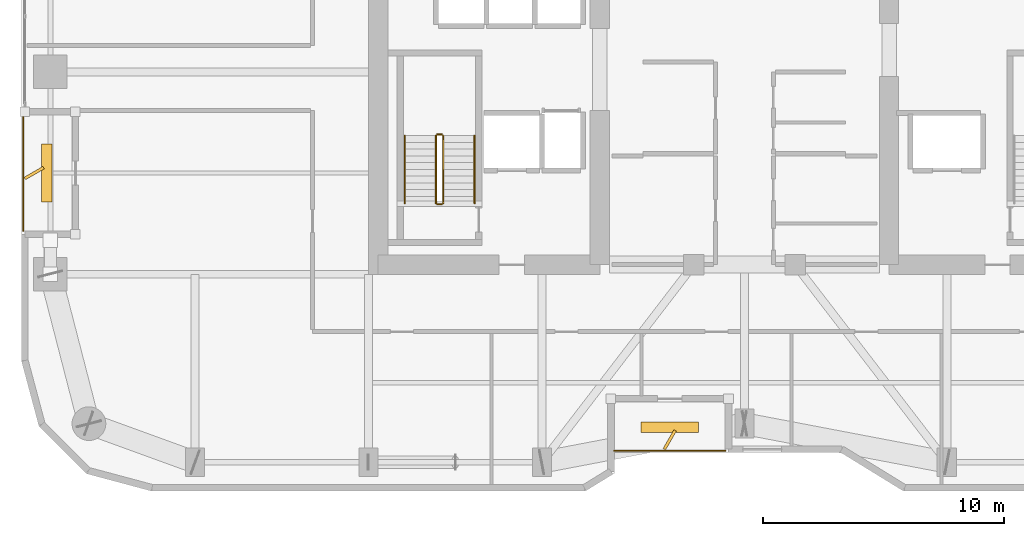
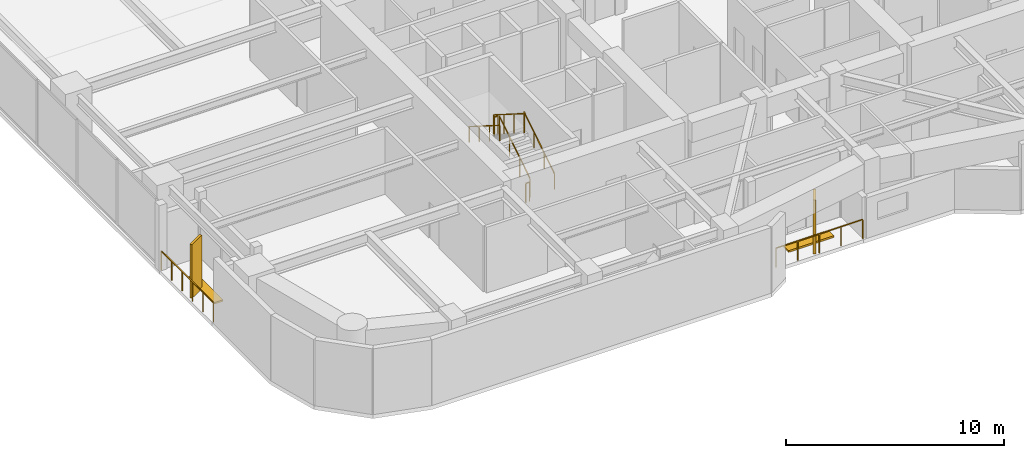
# One storey, part 28 of 30: 8 railings, 4 shading devices.
"""IFC4 building model written with IfcOpenShell, lengths in metres."""

from ifc_helpers import new_model, si_unit, direction, frame, origin, origin_2d, place, context, subcontext, project, spatial, rectangle, extrude, material, type_object, element, save


model = new_model("IFC4")

# Units and contexts
model_context = context("Model", 3, precision=1e-05, world=origin(), true_north=direction((0.0, 1.0)))
body_context = subcontext(model_context, "Body", "Model", "MODEL_VIEW")
ifc_project = project(units=[si_unit("LENGTHUNIT", "METRE"), si_unit("AREAUNIT", "SQUARE_METRE"), si_unit("VOLUMEUNIT", "CUBIC_METRE"), si_unit("PLANEANGLEUNIT", "RADIAN"), si_unit("MASSUNIT", "GRAM", prefix="KILO")], contexts=[model_context])

# Site, building, storey
site_placement = place(None, origin())
site = spatial("IfcSite", under=ifc_project, at=site_placement, CompositionType="ELEMENT")
building_placement = place(site_placement, origin())
building = spatial("IfcBuilding", under=site, at=building_placement, Name="Kiyonajd Concourse Tower", CompositionType="ELEMENT")
storey_placement = place(building_placement, frame((0.0, 0.0, 154.5)))
storey = spatial("IfcBuildingStorey", under=building, at=storey_placement, Name="L39", CompositionType="ELEMENT", Elevation=154.5)

# Railings
ifc_material_1 = material(Name="Thermally Broken Anodised Aluminium", Category="aluminium")
railing_type_1 = type_object("IfcRailingType", Name="RL-GRD-LOG", PredefinedType="GUARDRAIL", material=ifc_material_1)
railing_1_placement = place(storey_placement, frame((42.60009765625, 20.280029296875, 0.0)))
element("IfcRailing", 1, at=railing_1_placement, inside=storey, type_object=railing_type_1, Name="L39 Engawa Loggia Perimeter Guard LOG-S", PredefinedType="GUARDRAIL", context=body_context, shape_type="SweptSolid", body=[
    extrude(rectangle(XDim=0.048095703125, YDim=0.048095703125, at=origin_2d()), frame((0.0, 0.0, 1.076171875), z_axis=(1.0, 0.0, 0.0), x_axis=(0.0, 1.0, 0.0)), (0.0, 0.0, 1.0), 4.599853515625),
    extrude(rectangle(XDim=0.0419921875, YDim=0.0419921875, at=origin_2d()), origin(), (0.0, 0.0, 1.0), 1.052001953125),
    extrude(rectangle(XDim=0.0419921875, YDim=0.0419921875, at=origin_2d()), frame((1.14990234375, 0.0, 0.0)), (0.0, 0.0, 1.0), 1.052001953125),
    extrude(rectangle(XDim=0.0419921875, YDim=0.0419921875, at=origin_2d()), frame((2.2998046875, 0.0, 0.0)), (0.0, 0.0, 1.0), 1.052001953125),
    extrude(rectangle(XDim=0.0419921875, YDim=0.0419921875, at=origin_2d()), frame((3.449951171875, 0.0, 0.0)), (0.0, 0.0, 1.0), 1.052001953125),
    extrude(rectangle(XDim=0.0419921875, YDim=0.0419921875, at=origin_2d()), frame((4.599853515625, 0.0, 0.0)), (0.0, 0.0, 1.0), 1.052001953125),
])
railing_2_placement = place(storey_placement, frame((18.080078125, 34.199951171875, 0.0)))
element("IfcRailing", 2, at=railing_2_placement, inside=storey, type_object=railing_type_1, Name="L39 Engawa Loggia Perimeter Guard LOG-W", PredefinedType="GUARDRAIL", context=body_context, shape_type="SweptSolid", body=[
    extrude(rectangle(XDim=0.048095703125, YDim=0.048095703125, at=origin_2d()), frame((0.0, 0.0, 1.076171875), z_axis=(0.0, -1.0, 0.0), x_axis=(1.0, 0.0, 0.0)), (0.0, 0.0, 1.0), 4.800048828125),
    extrude(rectangle(XDim=0.0419921875, YDim=0.0419921875, at=origin_2d()), origin(), (0.0, 0.0, 1.0), 1.052001953125),
    extrude(rectangle(XDim=0.0419921875, YDim=0.0419921875, at=origin_2d()), frame((0.0, -0.9599609375, 0.0)), (0.0, 0.0, 1.0), 1.052001953125),
    extrude(rectangle(XDim=0.0419921875, YDim=0.0419921875, at=origin_2d()), frame((0.0, -1.919921875, 0.0)), (0.0, 0.0, 1.0), 1.052001953125),
    extrude(rectangle(XDim=0.0419921875, YDim=0.0419921875, at=origin_2d()), frame((0.0, -2.880126953125, 0.0)), (0.0, 0.0, 1.0), 1.052001953125),
    extrude(rectangle(XDim=0.0419921875, YDim=0.0419921875, at=origin_2d()), frame((0.0, -3.840087890625, 0.0)), (0.0, 0.0, 1.0), 1.052001953125),
    extrude(rectangle(XDim=0.0419921875, YDim=0.0419921875, at=origin_2d()), frame((0.0, -4.800048828125, 0.0)), (0.0, 0.0, 1.0), 1.052001953125),
])
ifc_material_2 = material(Name="Steel ASTM A500 Grade C", Category="steel")
railing_type_2 = type_object("IfcRailingType", Name="RL-GRD-STR", PredefinedType="GUARDRAIL", material=ifc_material_2)
railing_3_placement = place(storey_placement, frame((35.5, 30.550048828125, 0.17724609375)))
element("IfcRailing", 3, at=railing_3_placement, inside=storey, type_object=railing_type_2, Name="L39 ST1 stair guard 1", PredefinedType="GUARDRAIL", context=body_context, shape_type="SweptSolid", body=[
    extrude(rectangle(XDim=0.048095703125, YDim=0.048095703125, at=origin_2d()), frame((0.0, 0.0, 1.076171875), z_axis=(0.0, 0.844908973607, 0.534910110503), x_axis=(-1.0, 0.0, 0.0)), (0.0, 0.0, 1.0), 3.31396484375),
    extrude(rectangle(XDim=0.0419921875, YDim=0.0419921875, at=origin_2d()), origin(), (0.0, 0.0, 1.0), 1.052001953125),
    extrude(rectangle(XDim=0.0419921875, YDim=0.0419921875, at=origin_2d()), frame((0.0, 0.933349609375, 0.5908203125)), (0.0, 0.0, 1.0), 1.052001953125),
    extrude(rectangle(XDim=0.0419921875, YDim=0.0419921875, at=origin_2d()), frame((0.0, 1.86669921875, 1.181884765625)), (0.0, 0.0, 1.0), 1.052001953125),
    extrude(rectangle(XDim=0.0419921875, YDim=0.0419921875, at=origin_2d()), frame((0.0, 2.800048828125, 1.772705078125)), (0.0, 0.0, 1.0), 1.052001953125),
])
railing_4_placement = place(storey_placement, frame((35.449951171875, 33.39990234375, 1.949951171875)))
element("IfcRailing", 4, at=railing_4_placement, inside=storey, type_object=railing_type_2, Name="L39 ST1 stair guard 2", PredefinedType="GUARDRAIL", context=body_context, shape_type="SweptSolid", body=[
    extrude(rectangle(XDim=0.048095703125, YDim=0.048095703125, at=origin_2d()), frame((0.0, 0.0, 1.076171875), z_axis=(-1.0, 0.0, 0.0), x_axis=(0.0, -1.0, 0.0)), (0.0, 0.0, 1.0), 0.199951171875),
    extrude(rectangle(XDim=0.0419921875, YDim=0.0419921875, at=origin_2d()), origin(), (0.0, 0.0, 1.0), 1.052001953125),
    extrude(rectangle(XDim=0.0419921875, YDim=0.0419921875, at=origin_2d()), frame((-0.199951171875, 0.0, 0.0)), (0.0, 0.0, 1.0), 1.052001953125),
])
railing_5_placement = place(storey_placement, frame((35.199951171875, 33.35009765625, 2.127197265625)))
element("IfcRailing", 5, at=railing_5_placement, inside=storey, type_object=railing_type_2, Name="L39 ST1 stair guard 3", PredefinedType="GUARDRAIL", context=body_context, shape_type="SweptSolid", body=[
    extrude(rectangle(XDim=0.048095703125, YDim=0.048095703125, at=origin_2d()), frame((0.0, 0.0, 1.076171875), z_axis=(0.0, -0.844908973607, 0.534910110503), x_axis=(1.0, 0.0, 0.0)), (0.0, 0.0, 1.0), 3.31396484375),
    extrude(rectangle(XDim=0.0419921875, YDim=0.0419921875, at=origin_2d()), origin(), (0.0, 0.0, 1.0), 1.052001953125),
    extrude(rectangle(XDim=0.0419921875, YDim=0.0419921875, at=origin_2d()), frame((0.0, -0.933349609375, 0.5908203125)), (0.0, 0.0, 1.0), 1.052001953125),
    extrude(rectangle(XDim=0.0419921875, YDim=0.0419921875, at=origin_2d()), frame((0.0, -1.86669921875, 1.181884765625)), (0.0, 0.0, 1.0), 1.052001953125),
    extrude(rectangle(XDim=0.0419921875, YDim=0.0419921875, at=origin_2d()), frame((0.0, -2.800048828125, 1.772705078125)), (0.0, 0.0, 1.0), 1.052001953125),
])
railing_6_placement = place(storey_placement, frame((35.449951171875, 30.5, 0.0)))
element("IfcRailing", 6, at=railing_6_placement, inside=storey, type_object=railing_type_2, Name="L39 ST1 stair guard 4", PredefinedType="GUARDRAIL", context=body_context, shape_type="SweptSolid", body=[
    extrude(rectangle(XDim=0.048095703125, YDim=0.048095703125, at=origin_2d()), frame((0.0, 0.0, 1.076171875), z_axis=(-1.0, 0.0, 0.0), x_axis=(0.0, -1.0, 0.0)), (0.0, 0.0, 1.0), 0.199951171875),
    extrude(rectangle(XDim=0.0419921875, YDim=0.0419921875, at=origin_2d()), origin(), (0.0, 0.0, 1.0), 1.052001953125),
    extrude(rectangle(XDim=0.0419921875, YDim=0.0419921875, at=origin_2d()), frame((-0.199951171875, 0.0, 0.0)), (0.0, 0.0, 1.0), 1.052001953125),
])
ifc_material_3 = material(Name="Brushed Stainless Steel Cab Assembly", Category="steel")
railing_type_3 = type_object("IfcRailingType", Name="RL-HND-900", PredefinedType="HANDRAIL", material=ifc_material_3)
railing_7_placement = place(storey_placement, frame((36.800048828125, 30.550048828125, 0.17724609375)))
element("IfcRailing", 7, at=railing_7_placement, inside=storey, type_object=railing_type_3, Name="L39 ST1 stair handrail 1", PredefinedType="HANDRAIL", context=body_context, shape_type="SweptSolid", body=[
    extrude(rectangle(XDim=0.048095703125, YDim=0.048095703125, at=origin_2d()), frame((0.0, 0.0, 0.8759765625), z_axis=(0.0, 0.844908973607, 0.534910110503), x_axis=(-1.0, 0.0, 0.0)), (0.0, 0.0, 1.0), 3.31396484375),
    extrude(rectangle(XDim=0.0419921875, YDim=0.0419921875, at=origin_2d()), origin(), (0.0, 0.0, 1.0), 0.851806640625),
    extrude(rectangle(XDim=0.0419921875, YDim=0.0419921875, at=origin_2d()), frame((0.0, 0.933349609375, 0.5908203125)), (0.0, 0.0, 1.0), 0.851806640625),
    extrude(rectangle(XDim=0.0419921875, YDim=0.0419921875, at=origin_2d()), frame((0.0, 1.86669921875, 1.181884765625)), (0.0, 0.0, 1.0), 0.851806640625),
    extrude(rectangle(XDim=0.0419921875, YDim=0.0419921875, at=origin_2d()), frame((0.0, 2.800048828125, 1.772705078125)), (0.0, 0.0, 1.0), 0.851806640625),
])
railing_8_placement = place(storey_placement, frame((33.89990234375, 33.35009765625, 2.127197265625)))
element("IfcRailing", 8, at=railing_8_placement, inside=storey, type_object=railing_type_3, Name="L39 ST1 stair handrail 2", PredefinedType="HANDRAIL", context=body_context, shape_type="SweptSolid", body=[
    extrude(rectangle(XDim=0.048095703125, YDim=0.048095703125, at=origin_2d()), frame((0.0, 0.0, 0.8759765625), z_axis=(0.0, -0.844908973607, 0.534910110503), x_axis=(1.0, 0.0, 0.0)), (0.0, 0.0, 1.0), 3.31396484375),
    extrude(rectangle(XDim=0.0419921875, YDim=0.0419921875, at=origin_2d()), origin(), (0.0, 0.0, 1.0), 0.851806640625),
    extrude(rectangle(XDim=0.0419921875, YDim=0.0419921875, at=origin_2d()), frame((0.0, -0.933349609375, 0.5908203125)), (0.0, 0.0, 1.0), 0.851806640625),
    extrude(rectangle(XDim=0.0419921875, YDim=0.0419921875, at=origin_2d()), frame((0.0, -1.86669921875, 1.181884765625)), (0.0, 0.0, 1.0), 0.851806640625),
    extrude(rectangle(XDim=0.0419921875, YDim=0.0419921875, at=origin_2d()), frame((0.0, -2.800048828125, 1.772705078125)), (0.0, 0.0, 1.0), 0.851806640625),
])

# Shading devices
ifc_material_4 = material(Name="Precast concrete C50/60", Category="concrete")
shading_device_type_1 = type_object("IfcShadingDeviceType", Name="SH-FIN-900", PredefinedType="USERDEFINED", material=ifc_material_4)
for number, where, z_axis, x_axis, name in (
    (9, (44.89990234375, 20.72998046875, 0.0), (0.0, 0.0, 1.0), (0.5, 0.866025403784, 0.0), "L39 Angled Koshi Solar Fin LOG-S"),
    (10, (18.530029296875, 31.800048828125, 0.0), (0.0, 0.0, 1.0), (0.866025403784, 0.5, 0.0), "L39 Angled Koshi Solar Fin LOG-W"),
):
    element("IfcShadingDevice", number, at=place(storey_placement, frame(where, z_axis=z_axis, x_axis=x_axis)), inside=storey, type_object=shading_device_type_1, Name=name, ObjectType="FIN", PredefinedType="USERDEFINED", context=body_context, shape_type="SweptSolid", body=[
        extrude(rectangle(XDim=0.89990234375, YDim=0.1201171875, at=origin_2d()), origin(), (0.0, 0.0, 1.0), 3.0),
    ])
shading_device_type_2 = type_object("IfcShadingDeviceType", Name="SH-LVR-600", PredefinedType="JALOUSIE", material=ifc_material_1)
for number, where, z_axis, x_axis, name in (
    (11, (44.89990234375, 21.25, 0.0), (0.0, 0.0, 1.0), (1.0, 0.0, 0.0), "L39 Loggia Threshold Louver LOG-S"),
    (12, (19.050048828125, 31.800048828125, 0.0), (0.0, 0.0, 1.0), (0.0, 1.0, 0.0), "L39 Loggia Threshold Louver LOG-W"),
):
    element("IfcShadingDevice", number, at=place(storey_placement, frame(where, z_axis=z_axis, x_axis=x_axis)), inside=storey, type_object=shading_device_type_2, Name=name, PredefinedType="JALOUSIE", context=body_context, shape_type="SweptSolid", body=[
        extrude(rectangle(XDim=2.39990234375, YDim=0.449951171875, at=origin_2d()), origin(), (0.0, 0.0, 1.0), 0.10009765625),
    ])

save(model, "model.ifc")
